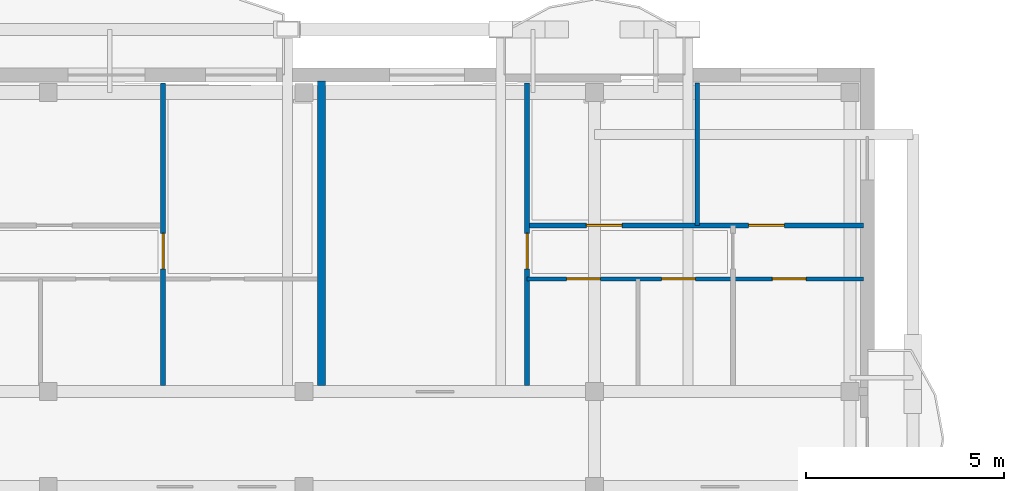
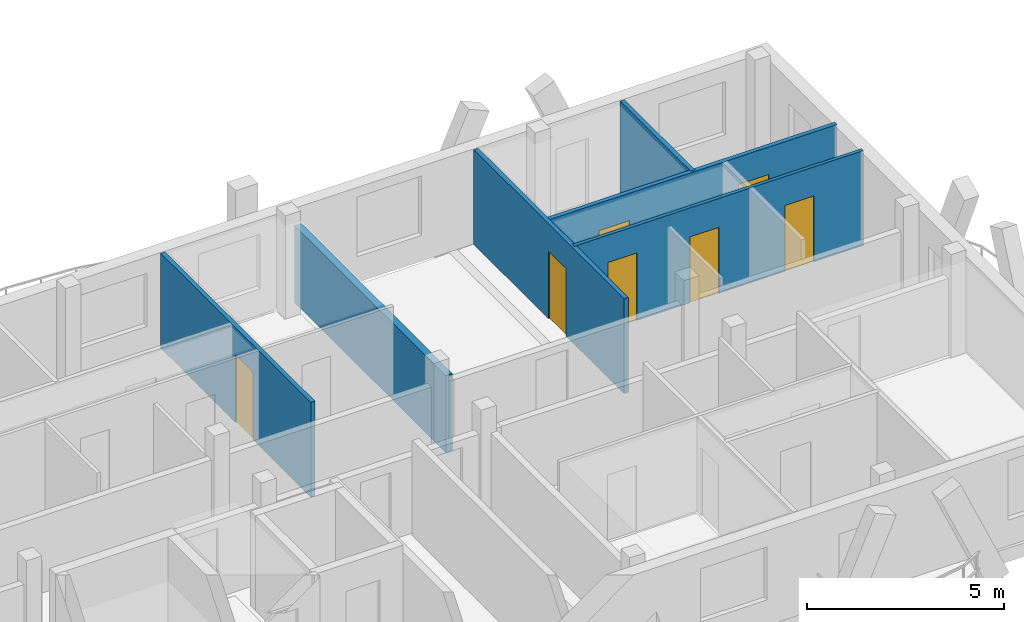
# One storey, part 24 of 44: 7 doors, 6 walls, 7 openings.
"""IFC4 building model written with IfcOpenShell, lengths in metres."""

from ifc_helpers import new_model, si_unit, direction, frame, frame_2d, origin, origin_with_axes, place, context, subcontext, project, spatial, rectangle, extrude, material, layer, layer_set, type_object, element, fill, save


model = new_model("IFC4")

# Units and contexts
model_context = context("Model", 3, precision=1e-05, world=origin(), true_north=direction((0.0, 1.0)))
body_context = subcontext(model_context, "Body", "Model", "MODEL_VIEW")
ifc_project = project(units=[si_unit("LENGTHUNIT", "METRE"), si_unit("AREAUNIT", "SQUARE_METRE"), si_unit("VOLUMEUNIT", "CUBIC_METRE"), si_unit("PLANEANGLEUNIT", "RADIAN"), si_unit("MASSUNIT", "GRAM", prefix="KILO")], contexts=[model_context])

# Site, building, storey
site_placement = place(None, origin())
site = spatial("IfcSite", under=ifc_project, at=site_placement, CompositionType="ELEMENT")
building_placement = place(site_placement, origin())
building = spatial("IfcBuilding", under=site, at=building_placement, Name="Zavelmont Quarter", CompositionType="ELEMENT")
storey_placement = place(building_placement, frame((0.0, 0.0, 20.800048828125)))
storey = spatial("IfcBuildingStorey", under=building, at=storey_placement, Name="L06", CompositionType="ELEMENT", Elevation=20.800048828125)

# Wall
ifc_material_1 = material(Name="Calcium-silicate blockwork and acoustic plaster", Category="masonry")
ifc_layer_1 = layer(ifc_material_1, 0.199951171875)
ifc_layer_set_1 = layer_set([ifc_layer_1], Name="Calcium-silicate blockwork and acoustic plaster")
wall_type_1 = type_object("IfcWallType", Name="IW01", PredefinedType="PARTITIONING", material=ifc_layer_set_1)
wall_1_placement = place(storey_placement, frame((41.39990234375, 108.14990234375, 0.0), z_axis=(0.0, 0.0, 1.0), x_axis=(0.0, 1.0, 0.0)))
element("IfcWall", 1, at=wall_1_placement, inside=storey, type_object=wall_type_1, Name="L06 Inter-dwelling compartment wall IW01", PredefinedType="PARTITIONING", context=body_context, shape_type="SweptSolid", body=[
    extrude(rectangle(XDim=7.7001953125, YDim=0.199951171875, at=frame_2d((3.85009765625, 0.0))), origin(), (0.0, 0.0, 1.0), 2.389892578125),
])

# Wall, opening, door
ifc_material_2 = material(Name="Double gypsum board on acoustic steel stud", Category="steel")
ifc_layer_2 = layer(ifc_material_2, 0.125)
ifc_layer_set_2 = layer_set([ifc_layer_2], Name="Double gypsum board on acoustic steel stud")
wall_type_2 = type_object("IfcWallType", Name="IW03", PredefinedType="PARTITIONING", material=ifc_layer_set_2)
wall_2_placement = place(storey_placement, frame((37.39990234375, 108.14990234375, 0.0), z_axis=(0.0, 0.0, 1.0), x_axis=(0.0, 1.0, 0.0)))
wall_2 = element("IfcWall", 2, at=wall_2_placement, inside=storey, type_object=wall_type_2, Name="L06 Partition IW03", PredefinedType="PARTITIONING", context=body_context, shape_type="SweptSolid", body=[
    extrude(rectangle(XDim=7.650146484375, YDim=0.125, at=frame_2d((3.8251953125, 0.0))), origin(), (0.0, 0.0, 1.0), 2.949951171875),
])
opening_1_placement = place(wall_2_placement, frame((2.949951171875, 0.0, 0.0)))
opening_1 = element("IfcOpeningElement", 3, at=opening_1_placement, cuts=wall_2, Name="Opening DR05", PredefinedType="OPENING", context=body_context, shape_type="SweptSolid", body=[
    extrude(rectangle(XDim=0.89990234375, YDim=2.10009765625, at=frame_2d((0.449951171875, 1.050048828125))), frame((0.0, 0.074462890625, 0.0), z_axis=(0.0, -1.0, 0.0), x_axis=(1.0, 0.0, 0.0)), (0.0, 0.0, 1.0), 0.14892578125),
])
ifc_material_3 = material(Name="Engineered oak flush interior door")
door_type_1 = type_object("IfcDoorType", Name="DR05", OperationType="NOTDEFINED", PredefinedType="DOOR", material=ifc_material_3)
door_1_placement = place(opening_1_placement, frame((0.89990234375, 0.0, 0.0), z_axis=(0.0, 0.0, 1.0), x_axis=(-1.0, 0.0, 0.0)))
door_1 = element("IfcDoor", 4, at=door_1_placement, inside=storey, type_object=door_type_1, Name="L06 door DR05", OperationType="SINGLE_SWING_LEFT", OverallHeight=2.10009765625, OverallWidth=0.89990234375, PredefinedType="DOOR", context=body_context, shape_type="SweptSolid", body=[
    extrude(rectangle(XDim=0.89990234375, YDim=2.10009765625, at=frame_2d((0.449951171875, 1.050048828125))), frame((0.0, 0.02490234375, 0.0), z_axis=(0.0, -1.0, 0.0), x_axis=(1.0, 0.0, 0.0)), (0.0, 0.0, 1.0), 0.050048828125),
])
fill(opening_1, door_1)

wall_3_placement = place(storey_placement, frame((46.60009765625, 108.14990234375, 0.0), z_axis=(0.0, 0.0, 1.0), x_axis=(0.0, 1.0, 0.0)))
wall_3 = element("IfcWall", 5, at=wall_3_placement, inside=storey, type_object=wall_type_2, Name="L06 Partition IW03", PredefinedType="PARTITIONING", context=body_context, shape_type="SweptSolid", body=[
    extrude(rectangle(XDim=7.650146484375, YDim=0.125, at=frame_2d((3.8251953125, 0.0))), origin(), (0.0, 0.0, 1.0), 2.949951171875),
])
opening_2_placement = place(wall_3_placement, frame((2.949951171875, 0.0, 0.0)))
opening_2 = element("IfcOpeningElement", 6, at=opening_2_placement, cuts=wall_3, Name="Opening DR05", PredefinedType="OPENING", context=body_context, shape_type="SweptSolid", body=[
    extrude(rectangle(XDim=0.89990234375, YDim=2.10009765625, at=frame_2d((0.449951171875, 1.050048828125))), frame((0.0, 0.074462890625, 0.0), z_axis=(0.0, -1.0, 0.0), x_axis=(1.0, 0.0, 0.0)), (0.0, 0.0, 1.0), 0.14892578125),
])
door_2_placement = place(opening_2_placement, frame((0.89990234375, 0.0, 0.0), z_axis=(0.0, 0.0, 1.0), x_axis=(-1.0, 0.0, 0.0)))
door_2 = element("IfcDoor", 7, at=door_2_placement, inside=storey, type_object=door_type_1, Name="L06 door DR05", OperationType="SINGLE_SWING_RIGHT", OverallHeight=2.10009765625, OverallWidth=0.89990234375, PredefinedType="DOOR", context=body_context, shape_type="SweptSolid", body=[
    extrude(rectangle(XDim=0.89990234375, YDim=2.10009765625, at=frame_2d((0.449951171875, 1.050048828125))), frame((0.0, 0.02490234375, 0.0), z_axis=(0.0, -1.0, 0.0), x_axis=(1.0, 0.0, 0.0)), (0.0, 0.0, 1.0), 0.050048828125),
])
fill(opening_2, door_2)

# Wall
wall_4_placement = place(storey_placement, frame((50.89990234375, 112.199951171875, 0.0), z_axis=(0.0, 0.0, 1.0), x_axis=(0.0, 1.0, 0.0)))
element("IfcWall", 8, at=wall_4_placement, inside=storey, type_object=wall_type_2, Name="L06 Partition IW03", PredefinedType="PARTITIONING", context=body_context, shape_type="SweptSolid", body=[
    extrude(rectangle(XDim=3.60009765625, YDim=0.125, at=frame_2d((1.800048828125, 0.0))), origin(), (0.0, 0.0, 1.0), 2.949951171875),
])

# Wall, openings, doors
wall_5_placement = place(storey_placement, frame((46.60009765625, 112.199951171875, 0.0), z_axis=(0.0, 0.0, 1.0), x_axis=(1.0, 0.0, 0.0)))
wall_5 = element("IfcWall", 9, at=wall_5_placement, inside=storey, type_object=wall_type_2, Name="L06 Partition IW03", PredefinedType="PARTITIONING", context=body_context, shape_type="SweptSolid", body=[
    extrude(rectangle(XDim=8.5, YDim=0.125, at=frame_2d((4.25, 0.0))), origin(), (0.0, 0.0, 1.0), 2.949951171875),
])
opening_3_placement = place(wall_5_placement, frame((1.5, 0.0, 0.0)))
opening_3 = element("IfcOpeningElement", 10, at=opening_3_placement, cuts=wall_5, Name="Opening DR05", PredefinedType="OPENING", context=body_context, shape_type="SweptSolid", body=[
    extrude(rectangle(XDim=0.89990234375, YDim=2.10009765625, at=frame_2d((0.449951171875, 1.050048828125))), frame((0.0, 0.074462890625, 0.0), z_axis=(0.0, -1.0, 0.0), x_axis=(1.0, 0.0, 0.0)), (0.0, 0.0, 1.0), 0.14892578125),
])
opening_4_placement = place(wall_5_placement, frame((5.60009765625, 0.0, 0.0)))
opening_4 = element("IfcOpeningElement", 11, at=opening_4_placement, cuts=wall_5, Name="Opening DR05", PredefinedType="OPENING", context=body_context, shape_type="SweptSolid", body=[
    extrude(rectangle(XDim=0.89990234375, YDim=2.10009765625, at=frame_2d((0.449951171875, 1.050048828125))), frame((0.0, 0.074462890625, 0.0), z_axis=(0.0, -1.0, 0.0), x_axis=(1.0, 0.0, 0.0)), (0.0, 0.0, 1.0), 0.14892578125),
])
door_3_placement = place(opening_3_placement, origin_with_axes())
door_3 = element("IfcDoor", 12, at=door_3_placement, inside=storey, type_object=door_type_1, Name="L06 door DR05", OperationType="SINGLE_SWING_LEFT", OverallHeight=2.10009765625, OverallWidth=0.89990234375, PredefinedType="DOOR", context=body_context, shape_type="SweptSolid", body=[
    extrude(rectangle(XDim=0.89990234375, YDim=2.10009765625, at=frame_2d((0.449951171875, 1.050048828125))), frame((0.0, 0.02490234375, 0.0), z_axis=(0.0, -1.0, 0.0), x_axis=(1.0, 0.0, 0.0)), (0.0, 0.0, 1.0), 0.050048828125),
])
fill(opening_3, door_3)
door_4_placement = place(opening_4_placement, frame((0.89990234375, 0.0, 0.0), z_axis=(0.0, 0.0, 1.0), x_axis=(-1.0, 0.0, 0.0)))
door_4 = element("IfcDoor", 13, at=door_4_placement, inside=storey, type_object=door_type_1, Name="L06 door DR05", OperationType="SINGLE_SWING_RIGHT", OverallHeight=2.10009765625, OverallWidth=0.89990234375, PredefinedType="DOOR", context=body_context, shape_type="SweptSolid", body=[
    extrude(rectangle(XDim=0.89990234375, YDim=2.10009765625, at=frame_2d((0.449951171875, 1.050048828125))), frame((0.0, 0.02490234375, 0.0), z_axis=(0.0, -1.0, 0.0), x_axis=(1.0, 0.0, 0.0)), (0.0, 0.0, 1.0), 0.050048828125),
])
fill(opening_4, door_4)

ifc_material_4 = material(Name="Moisture-resistant gypsum board on steel stud", Category="steel")
ifc_layer_3 = layer(ifc_material_4, 0.10009765625)
ifc_layer_set_3 = layer_set([ifc_layer_3], Name="Moisture-resistant gypsum board on steel stud")
wall_type_3 = type_object("IfcWallType", Name="IW04", PredefinedType="PARTITIONING", material=ifc_layer_set_3)
wall_6_placement = place(storey_placement, frame((46.60009765625, 110.85009765625, 0.0), z_axis=(0.0, 0.0, 1.0), x_axis=(1.0, 0.0, 0.0)))
wall_6 = element("IfcWall", 14, at=wall_6_placement, inside=storey, type_object=wall_type_3, Name="L06 Partition IW04", PredefinedType="PARTITIONING", context=body_context, shape_type="SweptSolid", body=[
    extrude(rectangle(XDim=8.5, YDim=0.10009765625, at=frame_2d((4.25, 0.0))), origin(), (0.0, 0.0, 1.0), 2.949951171875),
])
opening_5_placement = place(wall_6_placement, frame((1.0, 0.0, 0.0)))
opening_5 = element("IfcOpeningElement", 15, at=opening_5_placement, cuts=wall_6, Name="Opening DR16", PredefinedType="OPENING", context=body_context, shape_type="SweptSolid", body=[
    extrude(rectangle(XDim=0.85009765625, YDim=2.10009765625, at=frame_2d((0.425048828125, 1.050048828125))), frame((0.0, 0.06201171875, 0.0), z_axis=(0.0, -1.0, 0.0), x_axis=(1.0, 0.0, 0.0)), (0.0, 0.0, 1.0), 0.1240234375),
])
opening_6_placement = place(wall_6_placement, frame((3.39990234375, 0.0, 0.0)))
opening_6 = element("IfcOpeningElement", 16, at=opening_6_placement, cuts=wall_6, Name="Opening DR06", PredefinedType="OPENING", context=body_context, shape_type="SweptSolid", body=[
    extrude(rectangle(XDim=0.85009765625, YDim=2.050048828125, at=frame_2d((0.425048828125, 1.02490234375))), frame((0.0, 0.06201171875, 0.0), z_axis=(0.0, -1.0, 0.0), x_axis=(1.0, 0.0, 0.0)), (0.0, 0.0, 1.0), 0.1240234375),
])
opening_7_placement = place(wall_6_placement, frame((6.199951171875, 0.0, 0.0)))
opening_7 = element("IfcOpeningElement", 17, at=opening_7_placement, cuts=wall_6, Name="Opening DR06", PredefinedType="OPENING", context=body_context, shape_type="SweptSolid", body=[
    extrude(rectangle(XDim=0.85009765625, YDim=2.050048828125, at=frame_2d((0.425048828125, 1.02490234375))), frame((0.0, 0.06201171875, 0.0), z_axis=(0.0, -1.0, 0.0), x_axis=(1.0, 0.0, 0.0)), (0.0, 0.0, 1.0), 0.1240234375),
])
ifc_material_5 = material(Name="Moisture-resistant painted wet-room door")
door_type_2 = type_object("IfcDoorType", Name="DR06", OperationType="NOTDEFINED", PredefinedType="DOOR", material=ifc_material_5)
door_5_placement = place(opening_6_placement, origin_with_axes())
door_5 = element("IfcDoor", 18, at=door_5_placement, inside=storey, type_object=door_type_2, Name="L06 door DR06", OperationType="SINGLE_SWING_LEFT", OverallHeight=2.050048828125, OverallWidth=0.85009765625, PredefinedType="DOOR", context=body_context, shape_type="SweptSolid", body=[
    extrude(rectangle(XDim=0.85009765625, YDim=2.050048828125, at=frame_2d((0.425048828125, 1.02490234375))), frame((0.0, 0.02490234375, 0.0), z_axis=(0.0, -1.0, 0.0), x_axis=(1.0, 0.0, 0.0)), (0.0, 0.0, 1.0), 0.050048828125),
])
fill(opening_6, door_5)
door_6_placement = place(opening_7_placement, frame((0.85009765625, 0.0, 0.0), z_axis=(0.0, 0.0, 1.0), x_axis=(-1.0, 0.0, 0.0)))
door_6 = element("IfcDoor", 19, at=door_6_placement, inside=storey, type_object=door_type_2, Name="L06 door DR06", OperationType="SINGLE_SWING_RIGHT", OverallHeight=2.050048828125, OverallWidth=0.85009765625, PredefinedType="DOOR", context=body_context, shape_type="SweptSolid", body=[
    extrude(rectangle(XDim=0.85009765625, YDim=2.050048828125, at=frame_2d((0.425048828125, 1.02490234375))), frame((0.0, 0.02490234375, 0.0), z_axis=(0.0, -1.0, 0.0), x_axis=(1.0, 0.0, 0.0)), (0.0, 0.0, 1.0), 0.050048828125),
])
fill(opening_7, door_6)
door_type_3 = type_object("IfcDoorType", Name="DR16", OperationType="NOTDEFINED", PredefinedType="DOOR", material=ifc_material_3)
door_7_placement = place(opening_5_placement, frame((0.85009765625, 0.0, 0.0), z_axis=(0.0, 0.0, 1.0), x_axis=(-1.0, 0.0, 0.0)))
door_7 = element("IfcDoor", 20, at=door_7_placement, inside=storey, type_object=door_type_3, Name="L06 door DR16", OperationType="SINGLE_SWING_RIGHT", OverallHeight=2.10009765625, OverallWidth=0.85009765625, PredefinedType="DOOR", context=body_context, shape_type="SweptSolid", body=[
    extrude(rectangle(XDim=0.85009765625, YDim=2.10009765625, at=frame_2d((0.425048828125, 1.050048828125))), frame((0.0, 0.02490234375, 0.0), z_axis=(0.0, -1.0, 0.0), x_axis=(1.0, 0.0, 0.0)), (0.0, 0.0, 1.0), 0.050048828125),
])
fill(opening_5, door_7)

save(model, "model.ifc")
